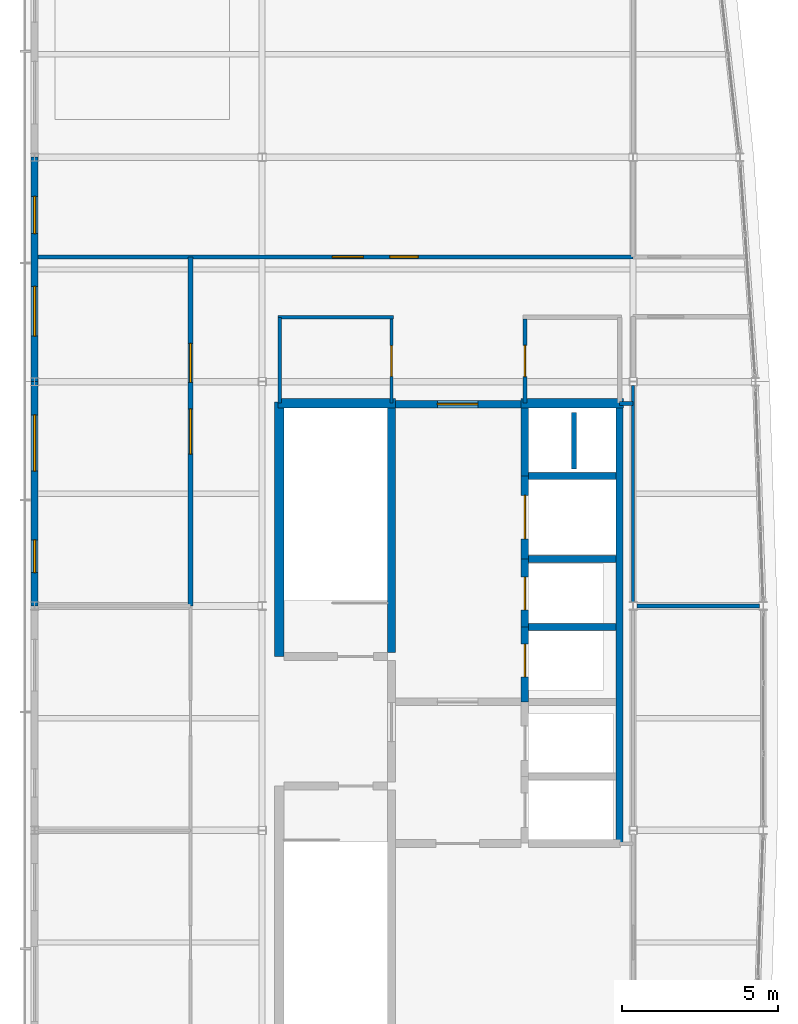
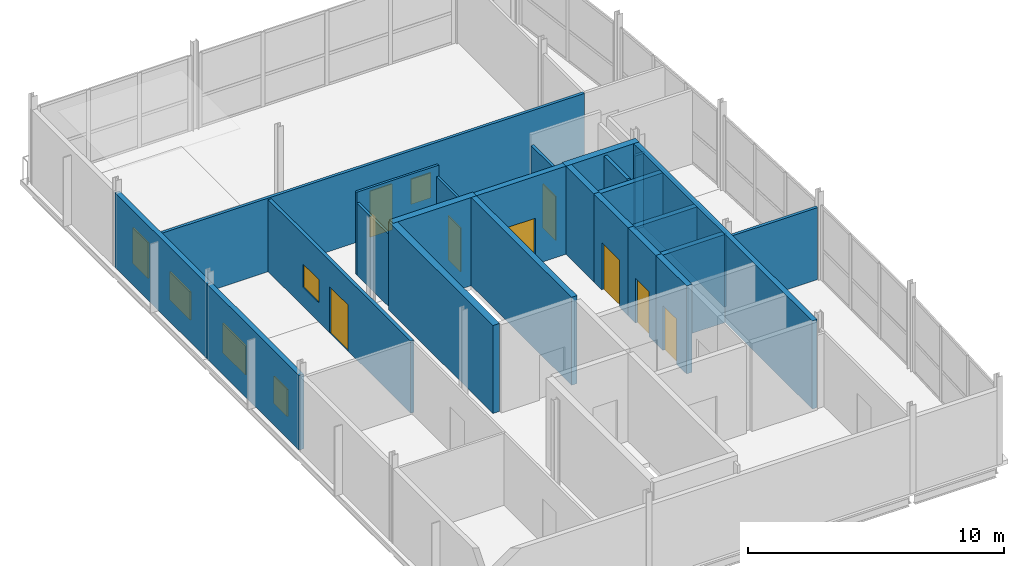
# One storey, part 12 of 14: 25 walls, 8 doors, 6 windows, 14 openings.
"""IFC4 building model written with IfcOpenShell, lengths in metres."""

from ifc_helpers import new_model, si_unit, direction, frame, frame_2d, origin, place, context, subcontext, project, spatial, rectangle, extrude, material, layer, layer_set, type_object, element, fill, save


model = new_model("IFC4")

# Units and contexts
model_context = context("Model", 3, precision=1e-05, world=origin(), true_north=direction((0.0, 1.0)))
body_context = subcontext(model_context, "Body", "Model", "MODEL_VIEW")
ifc_project = project(units=[si_unit("LENGTHUNIT", "METRE"), si_unit("AREAUNIT", "SQUARE_METRE"), si_unit("VOLUMEUNIT", "CUBIC_METRE"), si_unit("PLANEANGLEUNIT", "RADIAN"), si_unit("MASSUNIT", "GRAM", prefix="KILO")], contexts=[model_context])

# Site, building, storey
site_placement = place(None, origin())
site = spatial("IfcSite", under=ifc_project, at=site_placement, CompositionType="ELEMENT")
building_placement = place(site_placement, origin())
building = spatial("IfcBuilding", under=site, at=building_placement, Name="Quillay Park Conservatory", CompositionType="ELEMENT")
storey_placement = place(building_placement, frame((0.0, 0.0, 64.5)))
storey = spatial("IfcBuildingStorey", under=building, at=storey_placement, Name="L15", CompositionType="ELEMENT", Elevation=64.5)

# Wall, opening, door
ifc_material_1 = material(Name="Steel-Stud Acoustic Gypsum Board Partition", Category="steel")
ifc_layer_1 = layer(ifc_material_1, 0.10009765625)
ifc_layer_set_1 = layer_set([ifc_layer_1], Name="ACOUSTIC GYPSUM PARTITION 100 (Steel-Stud Acoustic Gypsum Board Partition)")
wall_type_1 = type_object("IfcWallType", Name="ACOUSTIC GYPSUM PARTITION 100", PredefinedType="PARTITIONING", material=ifc_layer_set_1)
wall_1_placement = place(storey_placement, frame((12.0, 101.60009765625, 0.0), z_axis=(0.0, 0.0, 1.0), x_axis=(0.0, -1.0, 0.0)))
wall_1 = element("IfcWall", 1, at=wall_1_placement, inside=storey, type_object=wall_type_1, Name="L15 Accessible WC Door Wall", PredefinedType="PARTITIONING", context=body_context, shape_type="SweptSolid", body=[
    extrude(rectangle(XDim=2.68017578125, YDim=0.10009765625, at=frame_2d((1.340087890625, 0.0))), origin(), (0.0, 0.0, 1.0), 3.43603515625),
])
opening_1_placement = place(wall_1_placement, frame((0.85009765625, 0.0, 0.0)))
opening_1 = element("IfcOpeningElement", 2, at=opening_1_placement, cuts=wall_1, Name="Opening D-RM03", PredefinedType="OPENING", context=body_context, shape_type="SweptSolid", body=[
    extrude(rectangle(XDim=0.97998046875, YDim=2.10009765625, at=frame_2d((0.489990234375, 1.050048828125))), frame((0.0, 0.050048828125, 0.0), z_axis=(0.0, -1.0, 0.0), x_axis=(1.0, 0.0, 0.0)), (0.0, 0.0, 1.0), 0.10009765625),
])
ifc_material_2 = material(Name="Thermally Broken Anodised Aluminium 6063-T6", Category="aluminium")
door_type_1 = type_object("IfcDoorType", Name="SINGLE SWING DOOR 980 X2100", OperationType="NOTDEFINED", PredefinedType="DOOR", material=ifc_material_2)
door_1_placement = place(opening_1_placement, origin())
door_1 = element("IfcDoor", 3, at=door_1_placement, inside=storey, type_object=door_type_1, Name="L15 Door to L15 Accessible WC", OperationType="SINGLE_SWING_LEFT", OverallHeight=2.10009765625, OverallWidth=0.97998046875, PredefinedType="DOOR", context=body_context, shape_type="SweptSolid", body=[
    extrude(rectangle(XDim=0.97998046875, YDim=2.10009765625, at=frame_2d((0.489990234375, 1.050048828125))), frame((0.0, 0.02490234375, 0.0), z_axis=(0.0, -1.0, 0.0), x_axis=(1.0, 0.0, 0.0)), (0.0, 0.0, 1.0), 0.050048828125),
])
fill(opening_1, door_1)

# Walls
wall_2_placement = place(storey_placement, frame((19.75, 92.52490234375, 0.0), z_axis=(0.0, 0.0, 1.0), x_axis=(0.0, 1.0, 0.0)))
element("IfcWall", 4, at=wall_2_placement, inside=storey, type_object=wall_type_1, Name="L15 Alpine Aerobiology Sampling Laboratory West Wall 1", PredefinedType="PARTITIONING", context=body_context, shape_type="SweptSolid", body=[
    extrude(rectangle(XDim=6.9521484375, YDim=0.10009765625, at=frame_2d((3.47607421875, 0.0))), origin(), (0.0, 0.0, 1.0), 3.511962890625),
])
ifc_material_3 = material(Name="Steel-Stud Acoustic Gypsum Board Partition", Category="steel")
ifc_layer_2 = layer(ifc_material_3, 0.10498046875)
ifc_layer_set_2 = layer_set([ifc_layer_2], Name="ACOUSTIC GYPSUM PARTITION 105 (Steel-Stud Acoustic Gypsum Board Partition)")
wall_type_2 = type_object("IfcWallType", Name="ACOUSTIC GYPSUM PARTITION 105", PredefinedType="PARTITIONING", material=ifc_layer_set_2)
wall_3_placement = place(storey_placement, frame((8.360107421875, 101.659912109375, 0.0), z_axis=(0.0, 0.0, 1.0), x_axis=(1.0, 0.0, 0.0)))
element("IfcWall", 5, at=wall_3_placement, inside=storey, type_object=wall_type_2, Name="L15 Accessible WC North Wall", PredefinedType="PARTITIONING", context=body_context, shape_type="SweptSolid", body=[
    extrude(rectangle(XDim=3.699951171875, YDim=0.10498046875, at=frame_2d((1.85009765625, 0.0))), origin(), (0.0, 0.0, 1.0), 3.949951171875),
])
ifc_material_4 = material(Name="Steel-Stud Acoustic Gypsum Board Partition", Category="steel")
ifc_layer_3 = layer(ifc_material_4, 0.110107421875)
ifc_layer_set_3 = layer_set([ifc_layer_3], Name="ACOUSTIC GYPSUM PARTITION 110 (Steel-Stud Acoustic Gypsum Board Partition)")
wall_type_3 = type_object("IfcWallType", Name="ACOUSTIC GYPSUM PARTITION 110", PredefinedType="PARTITIONING", material=ifc_layer_set_3)
wall_4_placement = place(storey_placement, frame((8.419921875, 98.919921875, 0.0), z_axis=(0.0, 0.0, 1.0), x_axis=(0.0, 1.0, 0.0)))
element("IfcWall", 6, at=wall_4_placement, inside=storey, type_object=wall_type_3, Name="L15 Accessible WC West Wall", PredefinedType="PARTITIONING", context=body_context, shape_type="SweptSolid", body=[
    extrude(rectangle(XDim=2.739990234375, YDim=0.110107421875, at=frame_2d((1.3701171875, 0.0))), origin(), (0.0, 0.0, 1.0), 3.43603515625),
])
ifc_material_5 = material(Name="Steel-Stud Acoustic Gypsum Board Partition", Category="steel")
ifc_layer_4 = layer(ifc_material_5, 0.125)
ifc_layer_set_4 = layer_set([ifc_layer_4], Name="ACOUSTIC GYPSUM PARTITION 125 (Steel-Stud Acoustic Gypsum Board Partition)")
wall_type_4 = type_object("IfcWallType", Name="ACOUSTIC GYPSUM PARTITION 125", PredefinedType="PARTITIONING", material=ifc_layer_set_4)
wall_5_placement = place(storey_placement, frame((19.75, 98.89990234375, 0.0), z_axis=(0.0, 0.0, 1.0), x_axis=(-1.0, 0.0, 0.0)))
element("IfcWall", 7, at=wall_5_placement, inside=storey, type_object=wall_type_4, Name="L15 Core North-East Closure", PredefinedType="PARTITIONING", context=body_context, shape_type="SweptSolid", body=[
    extrude(rectangle(XDim=0.429931640625, YDim=0.125, at=frame_2d((0.21484375, 0.0))), origin(), (0.0, 0.0, 1.0), 3.511962890625),
])

# Wall, opening, door
ifc_material_6 = material(Name="Steel-Stud Acoustic Gypsum Board Partition", Category="steel")
ifc_layer_5 = layer(ifc_material_6, 0.1298828125)
ifc_layer_set_5 = layer_set([ifc_layer_5], Name="ACOUSTIC GYPSUM PARTITION 130 (Steel-Stud Acoustic Gypsum Board Partition)")
wall_type_5 = type_object("IfcWallType", Name="ACOUSTIC GYPSUM PARTITION 130", PredefinedType="PARTITIONING", material=ifc_layer_set_5)
wall_6_placement = place(storey_placement, frame((16.280029296875, 98.919921875, 0.0), z_axis=(0.0, 0.0, 1.0), x_axis=(0.0, 1.0, 0.0)))
wall_6 = element("IfcWall", 8, at=wall_6_placement, inside=storey, type_object=wall_type_5, Name="L15 Washroom Door Wall", PredefinedType="PARTITIONING", context=body_context, shape_type="SweptSolid", body=[
    extrude(rectangle(XDim=2.68017578125, YDim=0.1298828125, at=frame_2d((1.340087890625, 0.0))), origin(), (0.0, 0.0, 1.0), 3.43603515625),
])
opening_2_placement = place(wall_6_placement, frame((0.840087890625, 0.0, 0.0)))
opening_2 = element("IfcOpeningElement", 9, at=opening_2_placement, cuts=wall_6, Name="Opening D-RM04", PredefinedType="OPENING", context=body_context, shape_type="SweptSolid", body=[
    extrude(rectangle(XDim=1.0, YDim=2.10009765625, at=frame_2d((0.5, 1.050048828125))), frame((0.0, 0.06494140625, 0.0), z_axis=(0.0, -1.0, 0.0), x_axis=(1.0, 0.0, 0.0)), (0.0, 0.0, 1.0), 0.1298828125),
])
ifc_material_7 = material(Name="Thermally Broken Anodised Aluminium 6063-T6", Category="aluminium")
door_type_2 = type_object("IfcDoorType", Name="SINGLE SWING DOOR 1000 X2100", OperationType="NOTDEFINED", PredefinedType="DOOR", material=ifc_material_7)
door_2_placement = place(opening_2_placement, origin())
door_2 = element("IfcDoor", 10, at=door_2_placement, inside=storey, type_object=door_type_2, Name="L15 Door to L15 Restroom and Washroom", OperationType="SINGLE_SWING_RIGHT", OverallHeight=2.10009765625, OverallWidth=1.0, PredefinedType="DOOR", context=body_context, shape_type="SweptSolid", body=[
    extrude(rectangle(XDim=1.0, YDim=2.10009765625, at=frame_2d((0.5, 1.050048828125))), frame((0.0, 0.02490234375, 0.0), z_axis=(0.0, -1.0, 0.0), x_axis=(1.0, 0.0, 0.0)), (0.0, 0.0, 1.0), 0.050048828125),
])
fill(opening_2, door_2)

# Wall, openings, window, door
wall_7_placement = place(storey_placement, frame((0.64990234375, 103.60009765625, 0.0), z_axis=(0.0, 0.0, 1.0), x_axis=(1.0, 0.0, 0.0)))
wall_7 = element("IfcWall", 11, at=wall_7_placement, inside=storey, type_object=wall_type_5, Name="L15 Andean Botanical Observatory Gallery South Wall", PredefinedType="PARTITIONING", context=body_context, shape_type="SweptSolid", body=[
    extrude(rectangle(XDim=19.10009765625, YDim=0.1298828125, at=frame_2d((9.550048828125, 0.0))), origin(), (0.0, 0.0, 1.0), 3.511962890625),
])
opening_3_placement = place(wall_7_placement, frame((9.449951171875, 0.0, 0.0)))
opening_3 = element("IfcOpeningElement", 12, at=opening_3_placement, cuts=wall_7, Name="Opening D-RM14", PredefinedType="OPENING", context=body_context, shape_type="SweptSolid", body=[
    extrude(rectangle(XDim=1.0, YDim=2.199951171875, at=frame_2d((0.5, 1.10009765625))), frame((0.0, 0.06494140625, 0.0), z_axis=(0.0, -1.0, 0.0), x_axis=(1.0, 0.0, 0.0)), (0.0, 0.0, 1.0), 0.1298828125),
])
opening_4_placement = place(wall_7_placement, frame((11.300048828125, 0.0, 0.919921875)))
opening_4 = element("IfcOpeningElement", 13, at=opening_4_placement, cuts=wall_7, Name="Opening W-IN05", PredefinedType="OPENING", context=body_context, shape_type="SweptSolid", body=[
    extrude(rectangle(XDim=0.89990234375, YDim=1.199951171875, at=frame_2d((0.449951171875, 0.60009765625))), frame((0.0, 0.06494140625, 0.0), z_axis=(0.0, -1.0, 0.0), x_axis=(1.0, 0.0, 0.0)), (0.0, 0.0, 1.0), 0.1298828125),
])
ifc_material_8 = material(Name="Low-E Double Glazing (Laminated Tempered)", Category="glass")
window_type_1 = type_object("IfcWindowType", Name="OPERABLE VENT WINDOW 900 X1200", PartitioningType="SINGLE_PANEL", PredefinedType="WINDOW", material=ifc_material_8)
window_1_placement = place(opening_4_placement, origin())
window_1 = element("IfcWindow", 14, at=window_1_placement, inside=storey, type_object=window_type_1, Name="L15 Laboratory Vision Panel 053", OverallHeight=1.199951171875, OverallWidth=0.89990234375, PartitioningType="SINGLE_PANEL", PredefinedType="WINDOW", context=body_context, shape_type="SweptSolid", body=[
    extrude(rectangle(XDim=0.89990234375, YDim=1.199951171875, at=frame_2d((0.449951171875, 0.60009765625))), frame((0.0, 0.030029296875, 0.0), z_axis=(0.0, -1.0, 0.0), x_axis=(1.0, 0.0, 0.0)), (0.0, 0.0, 1.0), 0.06005859375),
])
fill(opening_4, window_1)
ifc_material_9 = material(Name="Thermally Broken Anodised Aluminium 6063-T6", Category="aluminium")
door_type_3 = type_object("IfcDoorType", Name="SINGLE SWING DOOR 1000 X2200", OperationType="NOTDEFINED", PredefinedType="DOOR", material=ifc_material_9)
door_3_placement = place(opening_3_placement, origin())
door_3 = element("IfcDoor", 15, at=door_3_placement, inside=storey, type_object=door_type_3, Name="L15 Door to Andean Botanical Observatory Gallery", OperationType="SINGLE_SWING_RIGHT", OverallHeight=2.199951171875, OverallWidth=1.0, PredefinedType="DOOR", context=body_context, shape_type="SweptSolid", body=[
    extrude(rectangle(XDim=1.0, YDim=2.199951171875, at=frame_2d((0.5, 1.10009765625))), frame((0.0, 0.02490234375, 0.0), z_axis=(0.0, -1.0, 0.0), x_axis=(1.0, 0.0, 0.0)), (0.0, 0.0, 1.0), 0.050048828125),
])
fill(opening_3, door_3)

# Wall
wall_8_placement = place(storey_placement, frame((23.802001953125, 92.39990234375, 0.0), z_axis=(0.0, 0.0, 1.0), x_axis=(-1.0, 0.0, 0.0)))
element("IfcWall", 16, at=wall_8_placement, inside=storey, type_object=wall_type_5, Name="L15 East Divider 92", PredefinedType="PARTITIONING", context=body_context, shape_type="SweptSolid", body=[
    extrude(rectangle(XDim=3.928955078125, YDim=0.1298828125, at=frame_2d((1.96435546875, 0.0))), origin(), (0.0, 0.0, 1.0), 3.43603515625),
])

# Wall, openings, door, window
ifc_material_10 = material(Name="Steel-Stud Acoustic Gypsum Board Partition", Category="steel")
ifc_layer_6 = layer(ifc_material_10, 0.14990234375)
ifc_layer_set_6 = layer_set([ifc_layer_6], Name="ACOUSTIC GYPSUM PARTITION 150 (Steel-Stud Acoustic Gypsum Board Partition)")
wall_type_6 = type_object("IfcWallType", Name="ACOUSTIC GYPSUM PARTITION 150", PredefinedType="PARTITIONING", material=ifc_layer_set_6)
wall_9_placement = place(storey_placement, frame((5.550048828125, 92.39990234375, 0.0), z_axis=(0.0, 0.0, 1.0), x_axis=(0.0, 1.0, 0.0)))
wall_9 = element("IfcWall", 17, at=wall_9_placement, inside=storey, type_object=wall_type_6, Name="L15 Crown Lab Exhaust Scrubber and Heat-Recovery Plant Room Corridor Wall", PredefinedType="PARTITIONING", context=body_context, shape_type="SweptSolid", body=[
    extrude(rectangle(XDim=11.2001953125, YDim=0.14990234375, at=frame_2d((5.60009765625, 0.0))), origin(), (0.0, 0.0, 1.0), 3.43603515625),
])
opening_5_placement = place(wall_9_placement, frame((4.875, 0.0, 0.0)))
opening_5 = element("IfcOpeningElement", 18, at=opening_5_placement, cuts=wall_9, Name="Opening D-PL01", PredefinedType="OPENING", context=body_context, shape_type="SweptSolid", body=[
    extrude(rectangle(XDim=1.449951171875, YDim=2.199951171875, at=frame_2d((0.72509765625, 1.10009765625))), frame((0.0, 0.074951171875, 0.0), z_axis=(0.0, -1.0, 0.0), x_axis=(1.0, 0.0, 0.0)), (0.0, 0.0, 1.0), 0.14990234375),
])
opening_6_placement = place(wall_9_placement, frame((7.175048828125, 0.0, 0.919921875)))
opening_6 = element("IfcOpeningElement", 19, at=opening_6_placement, cuts=wall_9, Name="Opening W-IN04", PredefinedType="OPENING", context=body_context, shape_type="SweptSolid", body=[
    extrude(rectangle(XDim=1.25, YDim=1.10009765625, at=frame_2d((0.625, 0.550048828125))), frame((0.0, 0.074951171875, 0.0), z_axis=(0.0, -1.0, 0.0), x_axis=(1.0, 0.0, 0.0)), (0.0, 0.0, 1.0), 0.14990234375),
])
ifc_material_11 = material(Name="Steel ASTM A572 Grade 50", Category="steel")
door_type_4 = type_object("IfcDoorType", Name="FIRE RATED PLANT DOOR 1450 X2200", OperationType="NOTDEFINED", PredefinedType="DOOR", material=ifc_material_11)
door_4_placement = place(opening_5_placement, origin())
door_4 = element("IfcDoor", 20, at=door_4_placement, inside=storey, type_object=door_type_4, Name="L15 Door to Crown Lab Exhaust Scrubber and Heat-Recovery Plant Room", OperationType="SINGLE_SWING_LEFT", OverallHeight=2.199951171875, OverallWidth=1.449951171875, PredefinedType="DOOR", context=body_context, shape_type="SweptSolid", body=[
    extrude(rectangle(XDim=1.449951171875, YDim=2.199951171875, at=frame_2d((0.72509765625, 1.10009765625))), frame((0.0, 0.02490234375, 0.0), z_axis=(0.0, -1.0, 0.0), x_axis=(1.0, 0.0, 0.0)), (0.0, 0.0, 1.0), 0.050048828125),
])
fill(opening_5, door_4)
ifc_material_12 = material(Name="Low-E Double Glazing (Laminated Tempered)", Category="glass")
window_type_2 = type_object("IfcWindowType", Name="OPERABLE VENT WINDOW 1250 X1100", PartitioningType="SINGLE_PANEL", PredefinedType="WINDOW", material=ifc_material_12)
window_2_placement = place(opening_6_placement, origin())
window_2 = element("IfcWindow", 21, at=window_2_placement, inside=storey, type_object=window_type_2, Name="L15 Laboratory Vision Panel 052", OverallHeight=1.10009765625, OverallWidth=1.25, PartitioningType="SINGLE_PANEL", PredefinedType="WINDOW", context=body_context, shape_type="SweptSolid", body=[
    extrude(rectangle(XDim=1.25, YDim=1.10009765625, at=frame_2d((0.625, 0.550048828125))), frame((0.0, 0.030029296875, 0.0), z_axis=(0.0, -1.0, 0.0), x_axis=(1.0, 0.0, 0.0)), (0.0, 0.0, 1.0), 0.06005859375),
])
fill(opening_6, window_2)

# Walls
ifc_material_13 = material(Name="Concrete C35/45 (NCh170 Concrete C35/45)", Category="concrete")
ifc_layer_7 = layer(ifc_material_13, 0.22509765625)
ifc_layer_set_7 = layer_set([ifc_layer_7], Name="CORE SHEAR WALL 225 (Concrete C35/45 (NCh170 Concrete C35/45))")
wall_type_7 = type_object("IfcWallType", Name="CORE SHEAR WALL 225", PredefinedType="SHEAR", material=ifc_layer_set_7)
wall_10_placement = place(storey_placement, frame((19.320068359375, 84.800048828125, 0.0), z_axis=(0.0, 0.0, 1.0), x_axis=(0.0, 1.0, 0.0)))
element("IfcWall", 22, at=wall_10_placement, inside=storey, type_object=wall_type_7, Name="L15 Core Shear Wall WL-LFBACK-L15", PredefinedType="SHEAR", context=body_context, shape_type="SweptSolid", body=[
    extrude(rectangle(XDim=13.949951171875, YDim=0.22509765625, at=frame_2d((6.97509765625, 0.0))), origin(), (0.0, 0.0, 1.0), 4.199951171875),
])
for number, where, z_axis, x_axis, name in (
    (23, (16.39990234375, 91.72509765625, 0.0), (0.0, 0.0, 1.0), (1.0, 0.0, 0.0), "L15 Core Shear Wall WL-LFDIV-L15-917"),
    (24, (16.39990234375, 93.89990234375, 0.0), (0.0, 0.0, 1.0), (1.0, 0.0, 0.0), "L15 Core Shear Wall WL-LFDIV-L15-939"),
    (25, (16.39990234375, 96.574951171875, 0.0), (0.0, 0.0, 1.0), (1.0, 0.0, 0.0), "L15 Core Shear Wall WL-LFDIV-L15-965"),
):
    element("IfcWall", number, at=place(storey_placement, frame(where, z_axis=z_axis, x_axis=x_axis)), inside=storey, type_object=wall_type_7, Name=name, PredefinedType="SHEAR", context=body_context, shape_type="SweptSolid", body=[
        extrude(rectangle(XDim=2.800048828125, YDim=0.22509765625, at=frame_2d((1.39990234375, 0.0))), origin(), (0.0, 0.0, 1.0), 4.199951171875),
    ])
ifc_material_14 = material(Name="Concrete C40/50 (NCh170 Concrete C40/50)", Category="concrete")
ifc_layer_8 = layer(ifc_material_14, 0.25)
ifc_layer_set_8 = layer_set([ifc_layer_8], Name="CORE SHEAR WALL 250 (Concrete C40/50 (NCh170 Concrete C40/50))")
wall_type_8 = type_object("IfcWallType", Name="CORE SHEAR WALL 250", PredefinedType="SHEAR", material=ifc_layer_set_8)
wall_11_placement = place(storey_placement, frame((11.9951171875, 90.89990234375, 0.0), z_axis=(0.0, 0.0, 1.0), x_axis=(0.0, 1.0, 0.0)))
element("IfcWall", 26, at=wall_11_placement, inside=storey, type_object=wall_type_8, Name="L15 Core Shear Wall WL-T1E-L15", PredefinedType="SHEAR", context=body_context, shape_type="SweptSolid", body=[
    extrude(rectangle(XDim=7.85009765625, YDim=0.25, at=frame_2d((3.925048828125, 0.0))), origin(), (0.0, 0.0, 1.0), 4.199951171875),
])

# Wall, opening, door
wall_12_placement = place(storey_placement, frame((12.1201171875, 98.875, 0.0), z_axis=(0.0, 0.0, 1.0), x_axis=(1.0, 0.0, 0.0)))
wall_12 = element("IfcWall", 27, at=wall_12_placement, inside=storey, type_object=wall_type_8, Name="L15 Core Shear Wall WL-PAXN-L15", PredefinedType="SHEAR", context=body_context, shape_type="SweptSolid", body=[
    extrude(rectangle(XDim=4.02978515625, YDim=0.25, at=frame_2d((2.014892578125, 0.0))), origin(), (0.0, 0.0, 1.0), 4.199951171875),
])
opening_7_placement = place(wall_12_placement, frame((1.35009765625, 0.0, 0.0)))
opening_7 = element("IfcOpeningElement", 28, at=opening_7_placement, cuts=wall_12, Name="Opening D-LB02", PredefinedType="OPENING", context=body_context, shape_type="SweptSolid", body=[
    extrude(rectangle(XDim=1.300048828125, YDim=2.199951171875, at=frame_2d((0.64990234375, 1.10009765625))), frame((0.0, 0.125, 0.0), z_axis=(0.0, -1.0, 0.0), x_axis=(1.0, 0.0, 0.0)), (0.0, 0.0, 1.0), 0.25),
])
ifc_material_15 = material(Name="Steel ASTM A572 Grade 50", Category="steel")
door_type_5 = type_object("IfcDoorType", Name="FIRE RATED LOBBY DOOR 1300 X2200", OperationType="NOTDEFINED", PredefinedType="DOOR", material=ifc_material_15)
door_5_placement = place(opening_7_placement, origin())
door_5 = element("IfcDoor", 29, at=door_5_placement, inside=storey, type_object=door_type_5, Name="L15 North Lift Lobby Door", OperationType="SINGLE_SWING_RIGHT", OverallHeight=2.199951171875, OverallWidth=1.300048828125, PredefinedType="DOOR", context=body_context, shape_type="SweptSolid", body=[
    extrude(rectangle(XDim=1.300048828125, YDim=2.199951171875, at=frame_2d((0.64990234375, 1.10009765625))), frame((0.0, 0.02490234375, 0.0), z_axis=(0.0, -1.0, 0.0), x_axis=(1.0, 0.0, 0.0)), (0.0, 0.0, 1.0), 0.050048828125),
])
fill(opening_7, door_5)

wall_13_placement = place(storey_placement, frame((16.27490234375, 89.324951171875, 0.0), z_axis=(0.0, 0.0, 1.0), x_axis=(0.0, 1.0, 0.0)))
wall_13 = element("IfcWall", 30, at=wall_13_placement, inside=storey, type_object=wall_type_8, Name="L15 Core Shear Wall WL-LFFR-L15-LF-P1", PredefinedType="SHEAR", context=body_context, shape_type="SweptSolid", body=[
    extrude(rectangle(XDim=2.400146484375, YDim=0.25, at=frame_2d((1.2001953125, 0.0))), origin(), (0.0, 0.0, 1.0), 4.199951171875),
])
opening_8_placement = place(wall_13_placement, frame((0.800048828125, 0.0, 0.0)))
opening_8 = element("IfcOpeningElement", 31, at=opening_8_placement, cuts=wall_13, Name="Opening LD02", PredefinedType="OPENING", context=body_context, shape_type="SweptSolid", body=[
    extrude(rectangle(XDim=1.050048828125, YDim=2.14990234375, at=frame_2d((0.52490234375, 1.074951171875))), frame((0.0, 0.125, 0.0), z_axis=(0.0, -1.0, 0.0), x_axis=(1.0, 0.0, 0.0)), (0.0, 0.0, 1.0), 0.25),
])
ifc_material_16 = material(Name="Steel ASTM A572 Grade 50", Category="steel")
door_type_6 = type_object("IfcDoorType", Name="LIFT LANDING SLIDING DOOR 1050 X2150", OperationType="NOTDEFINED", PredefinedType="DOOR", material=ifc_material_16)
door_6_placement = place(opening_8_placement, origin())
door_6 = element("IfcDoor", 32, at=door_6_placement, inside=storey, type_object=door_type_6, Name="L15 LF-P1 Lift Landing Door LD02", OperationType="SLIDING_TO_LEFT", OverallHeight=2.14990234375, OverallWidth=1.050048828125, PredefinedType="DOOR", context=body_context, shape_type="SweptSolid", body=[
    extrude(rectangle(XDim=1.050048828125, YDim=2.14990234375, at=frame_2d((0.52490234375, 1.074951171875))), frame((0.0, 0.02490234375, 0.0), z_axis=(0.0, -1.0, 0.0), x_axis=(1.0, 0.0, 0.0)), (0.0, 0.0, 1.0), 0.050048828125),
])
fill(opening_8, door_6)

wall_14_placement = place(storey_placement, frame((16.27490234375, 91.72509765625, 0.0), z_axis=(0.0, 0.0, 1.0), x_axis=(0.0, 1.0, 0.0)))
wall_14 = element("IfcWall", 33, at=wall_14_placement, inside=storey, type_object=wall_type_8, Name="L15 Core Shear Wall WL-LFFR-L15-LF-P2", PredefinedType="SHEAR", context=body_context, shape_type="SweptSolid", body=[
    extrude(rectangle(XDim=2.1748046875, YDim=0.25, at=frame_2d((1.08740234375, 0.0))), origin(), (0.0, 0.0, 1.0), 4.199951171875),
])
opening_9_placement = place(wall_14_placement, frame((0.550048828125, 0.0, 0.0)))
opening_9 = element("IfcOpeningElement", 34, at=opening_9_placement, cuts=wall_14, Name="Opening LD02", PredefinedType="OPENING", context=body_context, shape_type="SweptSolid", body=[
    extrude(rectangle(XDim=1.050048828125, YDim=2.14990234375, at=frame_2d((0.52490234375, 1.074951171875))), frame((0.0, 0.125, 0.0), z_axis=(0.0, -1.0, 0.0), x_axis=(1.0, 0.0, 0.0)), (0.0, 0.0, 1.0), 0.25),
])
door_7_placement = place(opening_9_placement, origin())
door_7 = element("IfcDoor", 35, at=door_7_placement, inside=storey, type_object=door_type_6, Name="L15 LF-P2 Lift Landing Door LD02", OperationType="SLIDING_TO_LEFT", OverallHeight=2.14990234375, OverallWidth=1.050048828125, PredefinedType="DOOR", context=body_context, shape_type="SweptSolid", body=[
    extrude(rectangle(XDim=1.050048828125, YDim=2.14990234375, at=frame_2d((0.52490234375, 1.074951171875))), frame((0.0, 0.02490234375, 0.0), z_axis=(0.0, -1.0, 0.0), x_axis=(1.0, 0.0, 0.0)), (0.0, 0.0, 1.0), 0.050048828125),
])
fill(opening_9, door_7)

wall_15_placement = place(storey_placement, frame((16.27490234375, 93.89990234375, 0.0), z_axis=(0.0, 0.0, 1.0), x_axis=(0.0, 1.0, 0.0)))
wall_15 = element("IfcWall", 36, at=wall_15_placement, inside=storey, type_object=wall_type_8, Name="L15 Core Shear Wall WL-LFFR-L15-LF-G1", PredefinedType="SHEAR", context=body_context, shape_type="SweptSolid", body=[
    extrude(rectangle(XDim=2.675048828125, YDim=0.25, at=frame_2d((1.33740234375, 0.0))), origin(), (0.0, 0.0, 1.0), 4.199951171875),
])
opening_10_placement = place(wall_15_placement, frame((0.64990234375, 0.0, 0.0)))
opening_10 = element("IfcOpeningElement", 37, at=opening_10_placement, cuts=wall_15, Name="Opening LD03", PredefinedType="OPENING", context=body_context, shape_type="SweptSolid", body=[
    extrude(rectangle(XDim=1.39990234375, YDim=2.25, at=frame_2d((0.699951171875, 1.125))), frame((0.0, 0.125, 0.0), z_axis=(0.0, -1.0, 0.0), x_axis=(1.0, 0.0, 0.0)), (0.0, 0.0, 1.0), 0.25),
])
ifc_material_17 = material(Name="Steel ASTM A572 Grade 50", Category="steel")
door_type_7 = type_object("IfcDoorType", Name="LIFT LANDING SLIDING DOOR 1400 X2250", OperationType="NOTDEFINED", PredefinedType="DOOR", material=ifc_material_17)
door_8_placement = place(opening_10_placement, origin())
door_8 = element("IfcDoor", 38, at=door_8_placement, inside=storey, type_object=door_type_7, Name="L15 LF-G1 Lift Landing Door LD03", OperationType="SLIDING_TO_LEFT", OverallHeight=2.25, OverallWidth=1.39990234375, PredefinedType="DOOR", context=body_context, shape_type="SweptSolid", body=[
    extrude(rectangle(XDim=1.39990234375, YDim=2.25, at=frame_2d((0.699951171875, 1.125))), frame((0.0, 0.02490234375, 0.0), z_axis=(0.0, -1.0, 0.0), x_axis=(1.0, 0.0, 0.0)), (0.0, 0.0, 1.0), 0.050048828125),
])
fill(opening_10, door_8)

# Walls
wall_16_placement = place(storey_placement, frame((16.27490234375, 96.574951171875, 0.0), z_axis=(0.0, 0.0, 1.0), x_axis=(0.0, 1.0, 0.0)))
element("IfcWall", 39, at=wall_16_placement, inside=storey, type_object=wall_type_8, Name="L15 Core Shear Wall WL-MEPR-L15", PredefinedType="SHEAR", context=body_context, shape_type="SweptSolid", body=[
    extrude(rectangle(XDim=2.175048828125, YDim=0.25, at=frame_2d((1.08740234375, 0.0))), origin(), (0.0, 0.0, 1.0), 4.199951171875),
])
ifc_material_18 = material(Name="Concrete C40/50 (NCh170 Concrete C40/50)", Category="concrete")
ifc_layer_9 = layer(ifc_material_18, 0.300048828125)
ifc_layer_set_9 = layer_set([ifc_layer_9], Name="CORE SHEAR WALL 300 (Concrete C40/50 (NCh170 Concrete C40/50))")
wall_type_9 = type_object("IfcWallType", Name="CORE SHEAR WALL 300", PredefinedType="SHEAR", material=ifc_layer_set_9)
wall_17_placement = place(storey_placement, frame((8.39990234375, 90.77490234375, 0.0), z_axis=(0.0, 0.0, 1.0), x_axis=(0.0, 1.0, 0.0)))
element("IfcWall", 40, at=wall_17_placement, inside=storey, type_object=wall_type_9, Name="L15 Core Shear Wall WL-TCW-N-L15", PredefinedType="SHEAR", context=body_context, shape_type="SweptSolid", body=[
    extrude(rectangle(XDim=8.175048828125, YDim=0.300048828125, at=frame_2d((4.08740234375, 0.0))), origin(), (0.0, 0.0, 1.0), 4.199951171875),
])
wall_18_placement = place(storey_placement, frame((8.35009765625, 98.89990234375, 0.0), z_axis=(0.0, 0.0, 1.0), x_axis=(1.0, 0.0, 0.0)))
element("IfcWall", 41, at=wall_18_placement, inside=storey, type_object=wall_type_9, Name="L15 Core Shear Wall WL-TCN-W-L15", PredefinedType="SHEAR", context=body_context, shape_type="SweptSolid", body=[
    extrude(rectangle(XDim=3.77001953125, YDim=0.300048828125, at=frame_2d((1.885009765625, 0.0))), origin(), (0.0, 0.0, 1.0), 4.199951171875),
])
wall_19_placement = place(storey_placement, frame((16.14990234375, 98.89990234375, 0.0), z_axis=(0.0, 0.0, 1.0), x_axis=(1.0, 0.0, 0.0)))
element("IfcWall", 42, at=wall_19_placement, inside=storey, type_object=wall_type_9, Name="L15 Core Shear Wall WL-TCN-E-L15", PredefinedType="SHEAR", context=body_context, shape_type="SweptSolid", body=[
    extrude(rectangle(XDim=3.300048828125, YDim=0.300048828125, at=frame_2d((1.64990234375, 0.0))), origin(), (0.0, 0.0, 1.0), 4.199951171875),
])

# Wall, openings, windows
ifc_material_19 = material(Name="Glass-Fibre Reinforced Concrete (GRC) Cladding", Category="concrete")
ifc_layer_10 = layer(ifc_material_19, 0.219970703125)
ifc_layer_set_10 = layer_set([ifc_layer_10], Name="EXTERIOR SOLID WALL 220 (Glass-Fibre Reinforced Concrete (GRC) Cladding)")
wall_type_10 = type_object("IfcWallType", Name="EXTERIOR SOLID WALL 220", PredefinedType="SOLIDWALL", material=ifc_layer_set_10)
wall_20_placement = place(storey_placement, frame((0.550048828125, 92.39990234375, 0.0), z_axis=(0.0, 0.0, 1.0), x_axis=(0.0, 1.0, 0.0)))
wall_20 = element("IfcWall", 43, at=wall_20_placement, inside=storey, type_object=wall_type_10, Name="L15 External Wall WL-EXT-V4W-L15-2", PredefinedType="SOLIDWALL", context=body_context, shape_type="SweptSolid", body=[
    extrude(rectangle(XDim=7.2001953125, YDim=0.219970703125, at=frame_2d((3.60009765625, 0.0))), origin(), (0.0, 0.0, 1.0), 3.56201171875),
])
opening_11_placement = place(wall_20_placement, frame((1.070068359375, 0.0, 0.919921875)))
opening_11 = element("IfcOpeningElement", 44, at=opening_11_placement, cuts=wall_20, Name="Opening W-18", PredefinedType="OPENING", context=body_context, shape_type="SweptSolid", body=[
    extrude(rectangle(XDim=1.050048828125, YDim=1.300048828125, at=frame_2d((0.52490234375, 0.64990234375))), frame((0.0, 0.10986328125, 0.0), z_axis=(0.0, -1.0, 0.0), x_axis=(1.0, 0.0, 0.0)), (0.0, 0.0, 1.0), 0.219970703125),
])
opening_12_placement = place(wall_20_placement, frame((4.330078125, 0.0, 0.919921875)))
opening_12 = element("IfcOpeningElement", 45, at=opening_12_placement, cuts=wall_20, Name="Opening W-05", PredefinedType="OPENING", context=body_context, shape_type="SweptSolid", body=[
    extrude(rectangle(XDim=1.800048828125, YDim=1.39990234375, at=frame_2d((0.89990234375, 0.699951171875))), frame((0.0, 0.10986328125, 0.0), z_axis=(0.0, -1.0, 0.0), x_axis=(1.0, 0.0, 0.0)), (0.0, 0.0, 1.0), 0.219970703125),
])
ifc_material_20 = material(Name="Low-E Double Glazing (Laminated Tempered)", Category="glass")
window_type_3 = type_object("IfcWindowType", Name="FIXED CASEMENT WINDOW 1050 X1300", PartitioningType="SINGLE_PANEL", PredefinedType="WINDOW", material=ifc_material_20)
window_3_placement = place(opening_11_placement, origin())
window_3 = element("IfcWindow", 46, at=window_3_placement, inside=storey, type_object=window_type_3, Name="L15 Exterior Window 0320", OverallHeight=1.300048828125, OverallWidth=1.050048828125, PartitioningType="SINGLE_PANEL", PredefinedType="WINDOW", context=body_context, shape_type="SweptSolid", body=[
    extrude(rectangle(XDim=1.050048828125, YDim=1.300048828125, at=frame_2d((0.52490234375, 0.64990234375))), frame((0.0, 0.030029296875, 0.0), z_axis=(0.0, -1.0, 0.0), x_axis=(1.0, 0.0, 0.0)), (0.0, 0.0, 1.0), 0.06005859375),
])
fill(opening_11, window_3)
ifc_material_21 = material(Name="Low-E Double Glazing (Laminated Tempered)", Category="glass")
window_type_4 = type_object("IfcWindowType", Name="FIXED CASEMENT WINDOW 1800 X1400", PartitioningType="DOUBLE_PANEL_VERTICAL", PredefinedType="WINDOW", material=ifc_material_21)
window_4_placement = place(opening_12_placement, origin())
window_4 = element("IfcWindow", 47, at=window_4_placement, inside=storey, type_object=window_type_4, Name="L15 Exterior Window 0321", OverallHeight=1.39990234375, OverallWidth=1.800048828125, PartitioningType="DOUBLE_PANEL_VERTICAL", PredefinedType="WINDOW", context=body_context, shape_type="SweptSolid", body=[
    extrude(rectangle(XDim=1.800048828125, YDim=1.39990234375, at=frame_2d((0.89990234375, 0.699951171875))), frame((0.0, 0.030029296875, 0.0), z_axis=(0.0, -1.0, 0.0), x_axis=(1.0, 0.0, 0.0)), (0.0, 0.0, 1.0), 0.06005859375),
])
fill(opening_12, window_4)

wall_21_placement = place(storey_placement, frame((0.550048828125, 99.60009765625, 0.0), z_axis=(0.0, 0.0, 1.0), x_axis=(0.0, 1.0, 0.0)))
wall_21 = element("IfcWall", 48, at=wall_21_placement, inside=storey, type_object=wall_type_10, Name="L15 External Wall WL-EXT-V4W-L15-3", PredefinedType="SOLIDWALL", context=body_context, shape_type="SweptSolid", body=[
    extrude(rectangle(XDim=7.199951171875, YDim=0.219970703125, at=frame_2d((3.60009765625, 0.0))), origin(), (0.0, 0.0, 1.0), 3.56201171875),
])
opening_13_placement = place(wall_21_placement, frame((1.455078125, 0.0, 0.919921875)))
opening_13 = element("IfcOpeningElement", 49, at=opening_13_placement, cuts=wall_21, Name="Opening W-19", PredefinedType="OPENING", context=body_context, shape_type="SweptSolid", body=[
    extrude(rectangle(XDim=1.60009765625, YDim=1.35009765625, at=frame_2d((0.800048828125, 0.675048828125))), frame((0.0, 0.10986328125, 0.0), z_axis=(0.0, -1.0, 0.0), x_axis=(1.0, 0.0, 0.0)), (0.0, 0.0, 1.0), 0.219970703125),
])
opening_14_placement = place(wall_21_placement, frame((4.7451171875, 0.0, 0.919921875)))
opening_14 = element("IfcOpeningElement", 50, at=opening_14_placement, cuts=wall_21, Name="Opening W-12", PredefinedType="OPENING", context=body_context, shape_type="SweptSolid", body=[
    extrude(rectangle(XDim=1.199951171875, YDim=1.699951171875, at=frame_2d((0.60009765625, 0.85009765625))), frame((0.0, 0.10986328125, 0.0), z_axis=(0.0, -1.0, 0.0), x_axis=(1.0, 0.0, 0.0)), (0.0, 0.0, 1.0), 0.219970703125),
])
ifc_material_22 = material(Name="Low-E Double Glazing (Laminated Tempered)", Category="glass")
window_type_5 = type_object("IfcWindowType", Name="FIXED CASEMENT WINDOW 1200 X1700", PartitioningType="SINGLE_PANEL", PredefinedType="WINDOW", material=ifc_material_22)
window_5_placement = place(opening_14_placement, origin())
window_5 = element("IfcWindow", 51, at=window_5_placement, inside=storey, type_object=window_type_5, Name="L15 Exterior Window 0323", OverallHeight=1.699951171875, OverallWidth=1.199951171875, PartitioningType="SINGLE_PANEL", PredefinedType="WINDOW", context=body_context, shape_type="SweptSolid", body=[
    extrude(rectangle(XDim=1.199951171875, YDim=1.699951171875, at=frame_2d((0.60009765625, 0.85009765625))), frame((0.0, 0.030029296875, 0.0), z_axis=(0.0, -1.0, 0.0), x_axis=(1.0, 0.0, 0.0)), (0.0, 0.0, 1.0), 0.06005859375),
])
fill(opening_14, window_5)
ifc_material_23 = material(Name="Low-E Double Glazing (Laminated Tempered)", Category="glass")
window_type_6 = type_object("IfcWindowType", Name="FIXED CASEMENT WINDOW 1600 X1350", PartitioningType="DOUBLE_PANEL_VERTICAL", PredefinedType="WINDOW", material=ifc_material_23)
window_6_placement = place(opening_13_placement, origin())
window_6 = element("IfcWindow", 52, at=window_6_placement, inside=storey, type_object=window_type_6, Name="L15 Exterior Window 0322", OverallHeight=1.35009765625, OverallWidth=1.60009765625, PartitioningType="DOUBLE_PANEL_VERTICAL", PredefinedType="WINDOW", context=body_context, shape_type="SweptSolid", body=[
    extrude(rectangle(XDim=1.60009765625, YDim=1.35009765625, at=frame_2d((0.800048828125, 0.675048828125))), frame((0.0, 0.030029296875, 0.0), z_axis=(0.0, -1.0, 0.0), x_axis=(1.0, 0.0, 0.0)), (0.0, 0.0, 1.0), 0.06005859375),
])
fill(opening_13, window_6)

# Wall
ifc_material_24 = material(Name="Steel-Stud Acoustic Gypsum Board Partition", Category="steel")
ifc_layer_11 = layer(ifc_material_24, 0.155029296875)
ifc_layer_set_11 = layer_set([ifc_layer_11], Name="PLUMBING SHAFT WALL 155 (Steel-Stud Acoustic Gypsum Board Partition)")
wall_type_11 = type_object("IfcWallType", Name="PLUMBING SHAFT WALL 155", PredefinedType="PLUMBINGWALL", material=ifc_layer_set_11)
wall_22_placement = place(storey_placement, frame((17.85009765625, 96.800048828125, 0.0), z_axis=(0.0, 0.0, 1.0), x_axis=(0.0, 1.0, 0.0)))
element("IfcWall", 53, at=wall_22_placement, inside=storey, type_object=wall_type_11, Name="L15 Plumbing Riser Wall", PredefinedType="PLUMBINGWALL", context=body_context, shape_type="SweptSolid", body=[
    extrude(rectangle(XDim=1.800048828125, YDim=0.155029296875, at=frame_2d((0.89990234375, 0.0))), origin(), (0.0, 0.0, 1.0), 4.199951171875),
])

save(model, "model.ifc")
